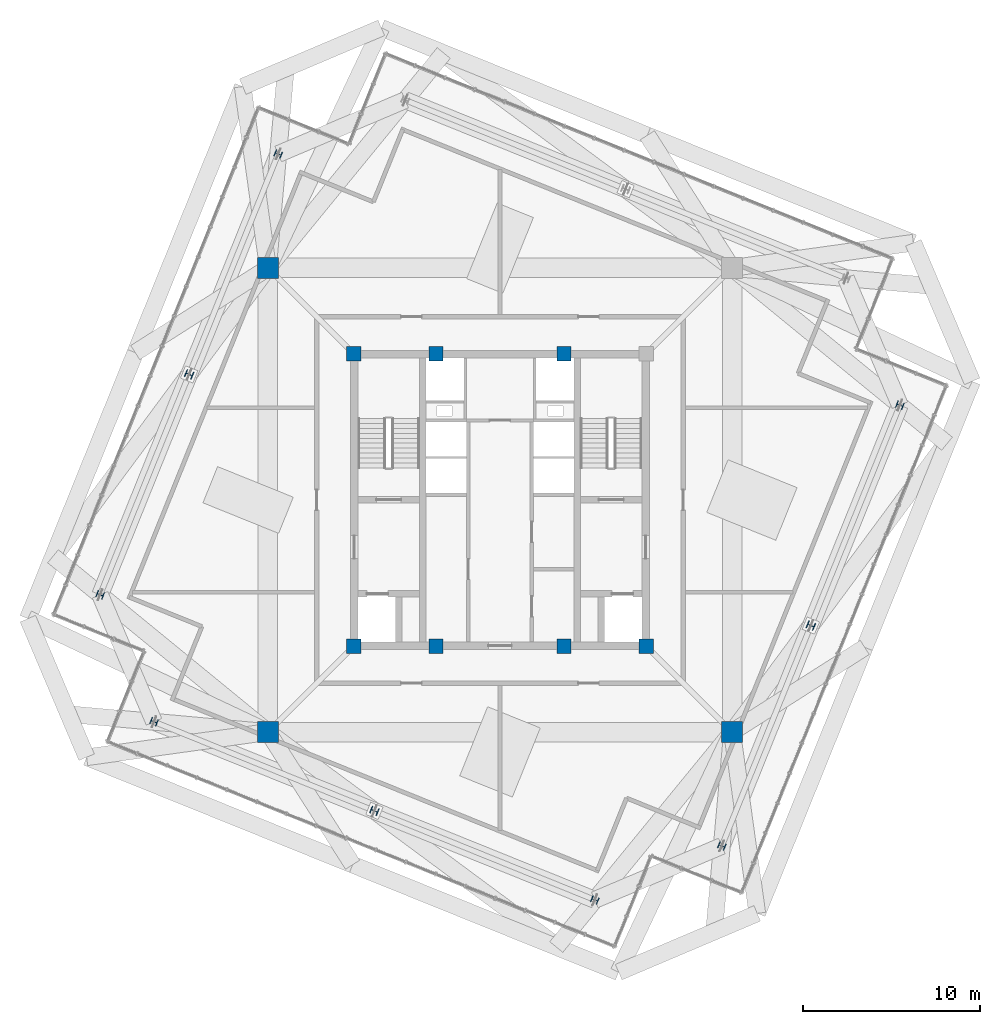
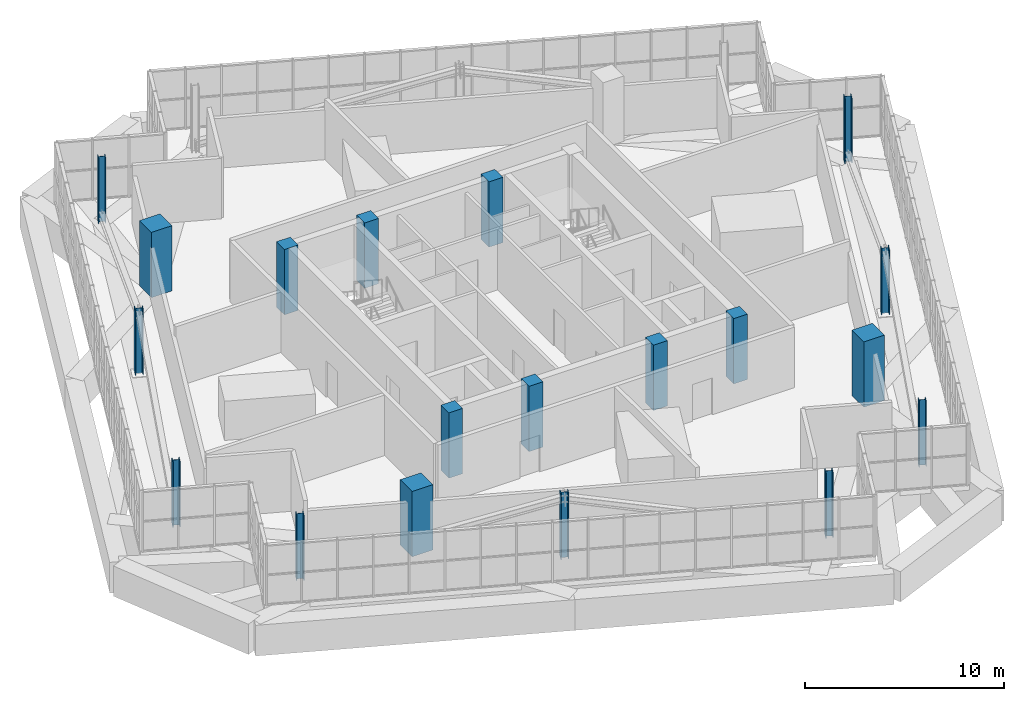
# One storey, part 1 of 35: 19 columns.
"""IFC4 building model written with IfcOpenShell, lengths in metres."""

import ifcopenshell
import ifcopenshell.guid

model = None  # the IFC model being written
_history = None  # IfcOwnerHistory: only IFC2X3 demands one
_inside = {}  # id of a spatial element -> (the spatial element, [elements in it])
_under = {}  # id of a project, library or spatial element -> (it, [spatial elements below it])
_declared = {}  # id of a project -> (the project, [libraries it declares])
_typed = {}  # id of a type object -> (the type object, [elements of that type])
_made_of = {}  # id of a material, layer set ... -> (it, [elements and type objects made of it])


def new_model(schema):
    """Start an empty IFC model of exactly this schema.

    Asked for "IFC4X3", IfcOpenShell would pick the latest addendum, in which some entities
    have other attributes; the version numbers below select the first issue.
    IFC2X3 requires an IfcOwnerHistory on every rooted entity: one is made here for all.
    """
    global model, _history
    if schema == "IFC4X3":
        model = ifcopenshell.file(schema_version=(4, 3, 0, 0))
    else:
        model = ifcopenshell.file(schema=schema)
    _inside.clear()
    _under.clear()
    _declared.clear()
    _typed.clear()
    _made_of.clear()
    _history = None
    if model.schema == "IFC2X3":
        org = make("IfcOrganization", Name="unknown")
        user = make(
            "IfcPersonAndOrganization",
            ThePerson=make("IfcPerson", FamilyName="unknown"),
            TheOrganization=org,
        )
        app = make(
            "IfcApplication",
            ApplicationDeveloper=org,
            Version="unknown",
            ApplicationFullName="unknown",
            ApplicationIdentifier="unknown",
        )
        _history = make(
            "IfcOwnerHistory",
            OwningUser=user,
            OwningApplication=app,
            ChangeAction="ADDED",
            CreationDate=0,
        )
    return model


def make(cls, **values):
    """One entity of the class cls with the attributes given. An attribute that is None is left unset."""
    return model.create_entity(
        cls, **{name: value for name, value in values.items() if value is not None}
    )


def rooted(cls, **values):
    """An entity with a GlobalId (a new one), such as an element, a storey or a relation."""
    return make(cls, GlobalId=ifcopenshell.guid.new(), OwnerHistory=_history, **values)


def si_unit(unit_type, name, prefix=None):
    """IfcSIUnit, for example si_unit("LENGTHUNIT", "METRE", prefix="MILLI")."""
    return make("IfcSIUnit", UnitType=unit_type, Prefix=prefix, Name=name)


def assignment(units):
    """IfcUnitAssignment: the units of a project."""
    return None if units is None else make("IfcUnitAssignment", Units=units)


def point(xyz):
    """IfcCartesianPoint."""
    return None if xyz is None else make("IfcCartesianPoint", Coordinates=xyz)


def direction(xyz):
    """IfcDirection."""
    return None if xyz is None else make("IfcDirection", DirectionRatios=xyz)


def frame(location, z_axis=None, x_axis=None):
    """IfcAxis2Placement3D, a coordinate frame: its origin and axes. An axis left out is left unset."""
    return make(
        "IfcAxis2Placement3D",
        Location=point(location),
        Axis=direction(z_axis),
        RefDirection=direction(x_axis),
    )


def frame_2d(location, x_axis=None):
    """IfcAxis2Placement2D, a coordinate frame in the plane: its origin and x axis."""
    return make(
        "IfcAxis2Placement2D", Location=point(location), RefDirection=direction(x_axis)
    )


def origin():
    """The frame at (0, 0, 0) with its axes left unset."""
    return frame((0.0, 0.0, 0.0))


def origin_2d():
    """The frame at (0, 0) in the plane with its x axis left unset."""
    return frame_2d((0.0, 0.0))


def place(relative_to, where):
    """IfcLocalPlacement: puts the frame where relative to a parent placement (None: the world)."""
    return make(
        "IfcLocalPlacement", PlacementRelTo=relative_to, RelativePlacement=where
    )


def context(
    kind, dimensions, precision=None, world=None, true_north=None, identifier=None
):
    """IfcGeometricRepresentationContext, for example the 3D "Model" context."""
    return make(
        "IfcGeometricRepresentationContext",
        ContextIdentifier=identifier,
        ContextType=kind,
        CoordinateSpaceDimension=dimensions,
        Precision=precision,
        WorldCoordinateSystem=world,
        TrueNorth=true_north,
    )


def subcontext(parent, identifier, kind, view, scale=None):
    """IfcGeometricRepresentationSubContext, for example "Body" below "Model"."""
    return make(
        "IfcGeometricRepresentationSubContext",
        ContextIdentifier=identifier,
        ContextType=kind,
        ParentContext=parent,
        TargetScale=scale,
        TargetView=view,
    )


def project(units=None, contexts=None):
    """IfcProject with its units and contexts."""
    return rooted(
        "IfcProject",
        Name="project",
        RepresentationContexts=contexts,
        UnitsInContext=assignment(units),
    )


def spatial(cls, under=None, at=None, **own):
    """A site, building, storey or space (cls), placed at a placement, below another one or the project."""
    s = rooted(cls, ObjectPlacement=at, **own)
    if under is not None:
        _under.setdefault(under.id(), (under, []))[1].append(s)
    return s


def profile(cls, at=None, kind="AREA", **sizes):
    """A parametric profile (cls). Its sizes go by their IFC names, for example OverallWidth=200.0."""
    return make(cls, ProfileType=kind, Position=at, **sizes)


def rectangle(**sizes):
    """IfcRectangleProfileDef."""
    return profile("IfcRectangleProfileDef", **sizes)


def i_section(**sizes):
    """IfcIShapeProfileDef."""
    return profile("IfcIShapeProfileDef", **sizes)


def extrude(swept, where, along, depth):
    """IfcExtrudedAreaSolid: the profile swept, set in the frame where, extruded along a direction by depth."""
    return make(
        "IfcExtrudedAreaSolid",
        SweptArea=swept,
        Position=where,
        ExtrudedDirection=direction(along),
        Depth=depth,
    )


def shape(context_of_items, identifier, shape_type, items):
    """IfcShapeRepresentation: the items that make up one representation, for example the "Body"."""
    return make(
        "IfcShapeRepresentation",
        ContextOfItems=context_of_items,
        RepresentationIdentifier=identifier,
        RepresentationType=shape_type,
        Items=items,
    )


def source(mapping_origin, context_of_items, identifier, shape_type, items):
    """IfcRepresentationMap: a shape defined once, which mapped items show again and again."""
    return make(
        "IfcRepresentationMap",
        MappingOrigin=mapping_origin,
        MappedRepresentation=shape(context_of_items, identifier, shape_type, items),
    )


def transform(
    local_origin,
    x_axis=None,
    y_axis=None,
    z_axis=None,
    scale=None,
    scale2=None,
    scale3=None,
    uniform=True,
):
    """IfcCartesianTransformationOperator3D, or its non-uniform kind. x_axis, y_axis, z_axis: its Axis1, 2, 3."""
    if uniform:
        return make(
            "IfcCartesianTransformationOperator3D",
            Axis1=direction(x_axis),
            Axis2=direction(y_axis),
            LocalOrigin=point(local_origin),
            Scale=scale,
            Axis3=direction(z_axis),
        )
    return make(
        "IfcCartesianTransformationOperator3DnonUniform",
        Axis1=direction(x_axis),
        Axis2=direction(y_axis),
        LocalOrigin=point(local_origin),
        Scale=scale,
        Axis3=direction(z_axis),
        Scale2=scale2,
        Scale3=scale3,
    )


def mapped(mapping_source, mapping_target):
    """IfcMappedItem: shows the shape of a source again, moved by a transform."""
    return make(
        "IfcMappedItem", MappingSource=mapping_source, MappingTarget=mapping_target
    )


def material(Name=None, Category=None):
    """IfcMaterial."""
    return make("IfcMaterial", Name=Name, Category=Category)


def material_profile(
    of_material, cross_section, Name=None, Category=None, Priority=None
):
    """IfcMaterialProfile: a cross section and its material."""
    return make(
        "IfcMaterialProfile",
        Name=Name,
        Material=of_material,
        Profile=cross_section,
        Priority=Priority,
        Category=Category,
    )


def profile_set(profiles, Name=None, composite=None):
    """IfcMaterialProfileSet."""
    return make(
        "IfcMaterialProfileSet",
        Name=Name,
        MaterialProfiles=profiles,
        CompositeProfile=composite,
    )


def made_of(thing, what):
    """Note that an element or type object is made of a material, layer set ...; save() writes the relation."""
    if what is not None:
        _made_of.setdefault(what.id(), (what, []))[1].append(thing)
    return thing


def type_object(cls, material=None, **own):
    """A type object (cls), such as IfcWallType, which elements share."""
    return made_of(rooted(cls, **own), material)


def element(
    cls,
    number,
    at=None,
    inside=None,
    cuts=None,
    type_object=None,
    material=None,
    context=None,
    identifier="Body",
    shape_type=None,
    held_by="IfcProductDefinitionShape",
    body=None,
    shapes=None,
    **own,
):
    """One element of the class cls, such as IfcWall. Its Tag is "e" and its number.

    at: its placement. inside: the storey or other place that contains it. cuts: it is an
    opening in that element (IfcRelVoidsElement). A single representation is given by context,
    identifier, shape_type and body (its items); several are given by shapes. held_by: the class
    of the entity that holds the representations. save() writes the other relations.
    """
    e = rooted(cls, Tag="e%d" % number, ObjectPlacement=at, **own)
    if body is not None:
        shapes = [shape(context, identifier, shape_type, body)]
    if shapes is not None:
        e.Representation = make(held_by, Representations=shapes)
    if inside is not None:
        _inside.setdefault(inside.id(), (inside, []))[1].append(e)
    if cuts is not None:
        rooted(
            "IfcRelVoidsElement", RelatingBuildingElement=cuts, RelatedOpeningElement=e
        )
    if type_object is not None:
        _typed.setdefault(type_object.id(), (type_object, []))[1].append(e)
    return made_of(e, material)


def aggregate(whole, parts):
    """IfcRelAggregates: a whole, such as a stair, and the parts it consists of."""
    return rooted("IfcRelAggregates", RelatingObject=whole, RelatedObjects=parts)


def save(model, path):
    """Write the relations noted so far, then the file.

    IfcRelAggregates (storeys below a building ...), IfcRelContainedInSpatialStructure (elements
    in a storey), IfcRelDefinesByType, IfcRelAssociatesMaterial and IfcRelDeclares: one each for
    every whole, place, type object, material and project.
    """
    for whole, parts in _under.values():
        aggregate(whole, parts)
    for where, things in _inside.values():
        rooted(
            "IfcRelContainedInSpatialStructure",
            RelatedElements=things,
            RelatingStructure=where,
        )
    for kind, things in _typed.values():
        rooted("IfcRelDefinesByType", RelatedObjects=things, RelatingType=kind)
    for what, things in _made_of.values():
        rooted("IfcRelAssociatesMaterial", RelatedObjects=things, RelatingMaterial=what)
    for by, libraries in _declared.values():
        rooted("IfcRelDeclares", RelatingContext=by, RelatedDefinitions=libraries)
    model.write(path)


model = new_model("IFC4")

# Units and contexts
model_context = context("Model", 3, precision=1e-05, world=origin(), true_north=direction((0.0, 1.0)))
body_context = subcontext(model_context, "Body", "Model", "MODEL_VIEW")
ifc_project = project(units=[si_unit("LENGTHUNIT", "METRE"), si_unit("AREAUNIT", "SQUARE_METRE"), si_unit("VOLUMEUNIT", "CUBIC_METRE"), si_unit("PLANEANGLEUNIT", "RADIAN"), si_unit("MASSUNIT", "GRAM", prefix="KILO"), si_unit("THERMODYNAMICTEMPERATUREUNIT", "KELVIN")], contexts=[model_context])

# Site, building, storey
site_placement = place(None, origin())
site = spatial("IfcSite", under=ifc_project, at=site_placement, CompositionType="ELEMENT")
building_placement = place(site_placement, origin())
building = spatial("IfcBuilding", under=site, at=building_placement, Name="Kosmvard Interchange Tower", CompositionType="ELEMENT")
storey_placement = place(building_placement, frame((0.0, 0.0, 321.60009765625)))
storey = spatial("IfcBuildingStorey", under=building, at=storey_placement, Name="L79", CompositionType="ELEMENT", Elevation=321.60009765625)

# Columns
ifc_material_1 = material(Name="Concrete C50/60", Category="concrete")
ifc_material_profile_1 = material_profile(ifc_material_1, rectangle(XDim=0.800048828125, YDim=0.800048828125, at=origin_2d()), Name="CP 800x800")
ifc_profile_set_1 = profile_set([ifc_material_profile_1], Name="Concrete C50/60")
column_type_1 = type_object("IfcColumnType", Name="Core Boundary Pilaster 800x800 C50/60", PredefinedType="PILASTER", material=ifc_profile_set_1)
shared_shape_1 = source(origin(), body_context, "Body", "SweptSolid", [
    extrude(rectangle(XDim=0.800048828125, YDim=0.800048828125, at=origin_2d()), origin(), (0.0, 0.0, 1.0), 4.0),
])
for number, where, z_axis, x_axis, name in (
    (1, (-8.25, -8.25, 0.0), (0.0, 0.0, 1.0), (1.0, 0.0, 0.0), "L79 Core Pilaster CP1"),
    (2, (8.25, -8.25, 0.0), (0.0, 0.0, 1.0), (1.0, 0.0, 0.0), "L79 Core Pilaster CP2"),
    (3, (-8.25, 8.25, 0.0), (0.0, 0.0, 1.0), (1.0, 0.0, 0.0), "L79 Core Pilaster CP4"),
    (4, (-3.60009765625, -8.25, 0.0), (0.0, 0.0, 1.0), (1.0, 0.0, 0.0), "L79 Core Pilaster CP5"),
    (5, (3.60009765625, -8.25, 0.0), (0.0, 0.0, 1.0), (1.0, 0.0, 0.0), "L79 Core Pilaster CP6"),
    (6, (-3.60009765625, 8.25, 0.0), (0.0, 0.0, 1.0), (1.0, 0.0, 0.0), "L79 Core Pilaster CP7"),
    (7, (3.60009765625, 8.25, 0.0), (0.0, 0.0, 1.0), (1.0, 0.0, 0.0), "L79 Core Pilaster CP8"),
):
    element("IfcColumn", number, at=place(storey_placement, frame(where, z_axis=z_axis, x_axis=x_axis)), inside=storey, type_object=column_type_1, Name=name, PredefinedType="PILASTER", context=body_context, shape_type="MappedRepresentation", body=[
        mapped(shared_shape_1, transform((0.0, 0.0, 0.0), scale=1.0)),
    ])
ifc_material_profile_2 = material_profile(ifc_material_1, rectangle(XDim=1.199951171875, YDim=1.199951171875, at=origin_2d()), Name="MC 1200x1200")
ifc_profile_set_2 = profile_set([ifc_material_profile_2], Name="Concrete C50/60")
column_type_2 = type_object("IfcColumnType", Name="Composite Mega-Column 1200x1200 C50/60", PredefinedType="COLUMN", material=ifc_profile_set_2)
shared_shape_2 = source(origin(), body_context, "Body", "SweptSolid", [
    extrude(rectangle(XDim=1.199951171875, YDim=1.199951171875, at=origin_2d()), origin(), (0.0, 0.0, 1.0), 4.0),
])
for number, where, z_axis, x_axis, name in (
    (8, (-13.0810546875, -13.0810546875, 0.0), (0.0, 0.0, 1.0), (1.0, 0.0, 0.0), "L79 Corner Mega-Column MC1"),
    (9, (13.0810546875, -13.0810546875, 0.0), (0.0, 0.0, 1.0), (1.0, 0.0, 0.0), "L79 Corner Mega-Column MC2"),
    (10, (-13.0810546875, 13.0810546875, 0.0), (0.0, 0.0, 1.0), (1.0, 0.0, 0.0), "L79 Corner Mega-Column MC4"),
):
    element("IfcColumn", number, at=place(storey_placement, frame(where, z_axis=z_axis, x_axis=x_axis)), inside=storey, type_object=column_type_2, Name=name, PredefinedType="COLUMN", context=body_context, shape_type="MappedRepresentation", body=[
        mapped(shared_shape_2, transform((0.0, 0.0, 0.0), scale=1.0)),
    ])
ifc_material_2 = material(Name="Steel S355", Category="steel")
ifc_material_profile_3 = material_profile(ifc_material_2, i_section(OverallWidth=0.3759765625, OverallDepth=0.386962890625, WebThickness=0.01953125, FlangeThickness=0.031982421875, FilletRadius=0.014892578125, at=origin_2d()), Name="HD 360x329")
ifc_profile_set_3 = profile_set([ifc_material_profile_3], Name="Steel S355")
column_type_3 = type_object("IfcColumnType", Name="Crown Lantern Corner Post HD 360x329 S355", PredefinedType="COLUMN", material=ifc_profile_set_3)
shared_shape_3 = source(origin(), body_context, "Body", "SweptSolid", [
    extrude(i_section(OverallWidth=0.3759765625, OverallDepth=0.386962890625, WebThickness=0.01953125, FlangeThickness=0.031982421875, FilletRadius=0.014892578125, at=origin_2d()), origin(), (0.0, 0.0, 1.0), 4.0),
])
for number, where, z_axis, x_axis, name in (
    (11, (12.504150390625, -19.50439453125, 0.0), (0.0, 0.0, 1.0), (0.374606593416, 0.927183854567, 0.0), "L79 Crown Frame Leg LL-S1"),
    (12, (22.54345703125, 5.34423828125, 0.0), (0.0, 0.0, 1.0), (0.374606593416, 0.927183854567, 0.0), "L79 Crown Frame Leg LL-S3"),
    (13, (-12.504150390625, 19.50439453125, 0.0), (0.0, 0.0, 1.0), (0.374606593416, 0.927183854567, 0.0), "L79 Crown Frame Leg LL-N1"),
    (14, (-22.54345703125, -5.34423828125, 0.0), (0.0, 0.0, 1.0), (0.374606593416, 0.927183854567, 0.0), "L79 Crown Frame Leg LL-N3"),
    (15, (-19.50439453125, -12.504150390625, 0.0), (0.0, 0.0, 1.0), (0.374606593416, 0.927183854567, 0.0), "L79 Crown Frame Leg LL-W1"),
    (16, (5.34423828125, -22.54345703125, 0.0), (0.0, 0.0, 1.0), (0.374606593416, 0.927183854567, 0.0), "L79 Crown Frame Leg LL-W3"),
):
    element("IfcColumn", number, at=place(storey_placement, frame(where, z_axis=z_axis, x_axis=x_axis)), inside=storey, type_object=column_type_3, Name=name, PredefinedType="COLUMN", context=body_context, shape_type="MappedRepresentation", body=[
        mapped(shared_shape_3, transform((0.0, 0.0, 0.0), scale=1.0)),
    ])
ifc_material_profile_4 = material_profile(ifc_material_2, i_section(OverallWidth=0.408935546875, OverallDepth=0.425048828125, WebThickness=0.02392578125, FlangeThickness=0.0390625, FilletRadius=0.014892578125, at=origin_2d()), Name="HD 400x421")
ifc_profile_set_4 = profile_set([ifc_material_profile_4], Name="Steel S355")
column_type_4 = type_object("IfcColumnType", Name="Crown Lantern Frame Leg HD 400x421 S355", PredefinedType="COLUMN", material=ifc_profile_set_4)
shared_shape_4 = source(origin(), body_context, "Body", "SweptSolid", [
    extrude(i_section(OverallWidth=0.408935546875, OverallDepth=0.425048828125, WebThickness=0.02392578125, FlangeThickness=0.0390625, FilletRadius=0.014892578125, at=origin_2d()), origin(), (0.0, 0.0, 1.0), 4.0),
])
for number, where, z_axis, x_axis, name in (
    (17, (17.523681640625, -7.080078125, 0.0), (0.0, 0.0, 1.0), (0.374606593416, 0.927183854567, 0.0), "L79 Crown Frame Leg LL-S2"),
    (18, (-17.523681640625, 7.080078125, 0.0), (0.0, 0.0, 1.0), (0.374606593416, 0.927183854567, 0.0), "L79 Crown Frame Leg LL-N2"),
    (19, (-7.080078125, -17.523681640625, 0.0), (0.0, 0.0, 1.0), (0.374606593416, 0.927183854567, 0.0), "L79 Crown Frame Leg LL-W2"),
):
    element("IfcColumn", number, at=place(storey_placement, frame(where, z_axis=z_axis, x_axis=x_axis)), inside=storey, type_object=column_type_4, Name=name, PredefinedType="COLUMN", context=body_context, shape_type="MappedRepresentation", body=[
        mapped(shared_shape_4, transform((0.0, 0.0, 0.0), scale=1.0)),
    ])

save(model, "model.ifc")
